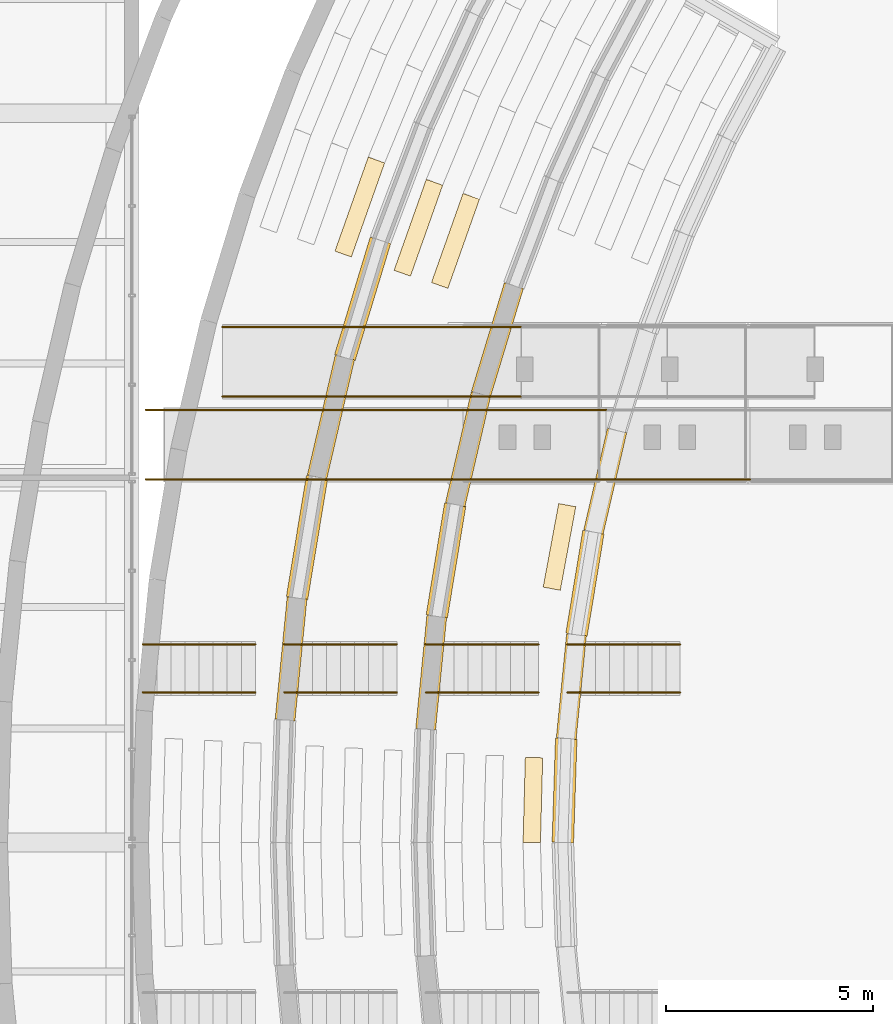
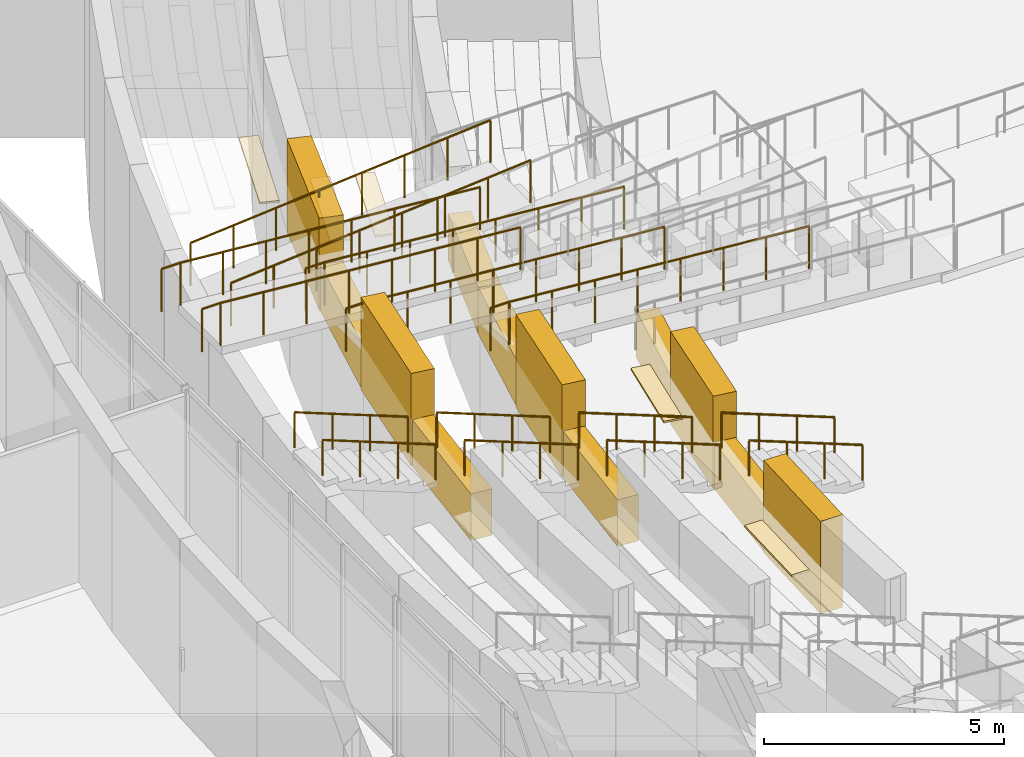
# One storey, part 113 of 116: 17 coverings, 15 railings, 4 elements without a shape of their own.
"""IFC4 building model written with IfcOpenShell, lengths in metres."""

from ifc_helpers import new_model, si_unit, direction, frame, origin, origin_2d, place, context, subcontext, project, spatial, polyline, circle, outline, extrude, material, layer, layer_set, type_object, element, aggregate, save


model = new_model("IFC4")

# Units and contexts
model_context = context("Model", 3, precision=1e-05, world=origin(), true_north=direction((0.0, 1.0)))
body_context = subcontext(model_context, "Body", "Model", "MODEL_VIEW")
ifc_project = project(units=[si_unit("LENGTHUNIT", "METRE"), si_unit("AREAUNIT", "SQUARE_METRE"), si_unit("VOLUMEUNIT", "CUBIC_METRE"), si_unit("PLANEANGLEUNIT", "RADIAN"), si_unit("MASSUNIT", "GRAM", prefix="KILO")], contexts=[model_context])

# Site, building, storey
site_placement = place(None, origin())
site = spatial("IfcSite", under=ifc_project, at=site_placement, CompositionType="ELEMENT")
building_placement = place(site_placement, origin())
building = spatial("IfcBuilding", under=site, at=building_placement, Name="Chalmorin Arch Market", CompositionType="ELEMENT")
storey_placement = place(building_placement, origin())
storey = spatial("IfcBuildingStorey", under=building, at=storey_placement, Name="L00", CompositionType="ELEMENT", Elevation=0.0)

# Stair, railings
ifc_material_1 = material(Name="Concrete C40/50", Category="concrete")
stair_type = type_object("IfcStairType", Name="TerraceCascadeStair-Granite", PredefinedType="STRAIGHT_RUN_STAIR", material=ifc_material_1)
stair_placement = place(storey_placement, origin())
stair = element("IfcStair", 1, at=stair_placement, inside=storey, type_object=stair_type, Name="ST-31", PredefinedType="STRAIGHT_RUN_STAIR")
ifc_material_2 = material(Name="Stainless Steel 316", Category="steel")
ifc_layer_1 = layer(ifc_material_2, 0.048095703125)
ifc_layer_set_1 = layer_set([ifc_layer_1], Name="Stainless Steel 316")
railing_type_1 = type_object("IfcRailingType", Name="StairTubeHandrail-920", PredefinedType="HANDRAIL", material=ifc_layer_set_1)
railing_1_placement = place(storey_placement, frame((148.429931640625, 36.02001953125, 0.13330078125)))
railing_1 = element("IfcRailing", 2, at=railing_1_placement, type_object=railing_type_1, Name="HR-01-139", PredefinedType="HANDRAIL", context=body_context, shape_type="SweptSolid", body=[
    extrude(circle(Radius=0.02392578125, at=origin_2d()), frame((0.0, 0.0, 0.89599609375), z_axis=(-0.930973755386, 0.0, 0.365086108723), x_axis=(0.0, -1.0, 0.0)), (0.0, 0.0, 1.0), 2.921630859375),
    extrude(circle(Radius=0.02099609375, at=origin_2d()), origin(), (0.0, 0.0, 1.0), 0.871826171875),
    extrude(circle(Radius=0.02099609375, at=origin_2d()), frame((-0.90673828125, 0.0, 0.35546875)), (0.0, 0.0, 1.0), 0.871826171875),
    extrude(circle(Radius=0.02099609375, at=origin_2d()), frame((-1.813232421875, 0.0, 0.711181640625)), (0.0, 0.0, 1.0), 0.871826171875),
    extrude(circle(Radius=0.02099609375, at=origin_2d()), frame((-2.719970703125, 0.0, 1.066650390625)), (0.0, 0.0, 1.0), 0.871826171875),
])
railing_2_placement = place(storey_placement, frame((148.429931640625, 37.179931640625, 0.13330078125)))
railing_2 = element("IfcRailing", 3, at=railing_2_placement, type_object=railing_type_1, Name="HR-01-140", PredefinedType="HANDRAIL", context=body_context, shape_type="SweptSolid", body=[
    extrude(circle(Radius=0.02392578125, at=origin_2d()), frame((0.0, 0.0, 0.89599609375), z_axis=(-0.930973755386, 0.0, 0.365086108723), x_axis=(0.0, -1.0, 0.0)), (0.0, 0.0, 1.0), 2.921630859375),
    extrude(circle(Radius=0.02099609375, at=origin_2d()), origin(), (0.0, 0.0, 1.0), 0.871826171875),
    extrude(circle(Radius=0.02099609375, at=origin_2d()), frame((-0.90673828125, 0.0, 0.35546875)), (0.0, 0.0, 1.0), 0.871826171875),
    extrude(circle(Radius=0.02099609375, at=origin_2d()), frame((-1.813232421875, 0.0, 0.711181640625)), (0.0, 0.0, 1.0), 0.871826171875),
    extrude(circle(Radius=0.02099609375, at=origin_2d()), frame((-2.719970703125, 0.0, 1.066650390625)), (0.0, 0.0, 1.0), 0.871826171875),
])
railing_3_placement = place(storey_placement, frame((145.011962890625, 36.02001953125, 1.333251953125)))
railing_3 = element("IfcRailing", 4, at=railing_3_placement, type_object=railing_type_1, Name="HR-01-141", PredefinedType="HANDRAIL", context=body_context, shape_type="SweptSolid", body=[
    extrude(circle(Radius=0.02392578125, at=origin_2d()), frame((0.0, 0.0, 0.89599609375), z_axis=(-0.930973755386, 0.0, 0.365086108723), x_axis=(0.0, -1.0, 0.0)), (0.0, 0.0, 1.0), 2.921630859375),
    extrude(circle(Radius=0.02099609375, at=origin_2d()), origin(), (0.0, 0.0, 1.0), 0.871826171875),
    extrude(circle(Radius=0.02099609375, at=origin_2d()), frame((-0.90673828125, 0.0, 0.35546875)), (0.0, 0.0, 1.0), 0.871826171875),
    extrude(circle(Radius=0.02099609375, at=origin_2d()), frame((-1.813232421875, 0.0, 0.711181640625)), (0.0, 0.0, 1.0), 0.871826171875),
    extrude(circle(Radius=0.02099609375, at=origin_2d()), frame((-2.719970703125, 0.0, 1.066650390625)), (0.0, 0.0, 1.0), 0.871826171875),
])
railing_4_placement = place(storey_placement, frame((145.011962890625, 37.179931640625, 1.333251953125)))
railing_4 = element("IfcRailing", 5, at=railing_4_placement, type_object=railing_type_1, Name="HR-01-142", PredefinedType="HANDRAIL", context=body_context, shape_type="SweptSolid", body=[
    extrude(circle(Radius=0.02392578125, at=origin_2d()), frame((0.0, 0.0, 0.89599609375), z_axis=(-0.930973755386, 0.0, 0.365086108723), x_axis=(0.0, -1.0, 0.0)), (0.0, 0.0, 1.0), 2.921630859375),
    extrude(circle(Radius=0.02099609375, at=origin_2d()), origin(), (0.0, 0.0, 1.0), 0.871826171875),
    extrude(circle(Radius=0.02099609375, at=origin_2d()), frame((-0.90673828125, 0.0, 0.35546875)), (0.0, 0.0, 1.0), 0.871826171875),
    extrude(circle(Radius=0.02099609375, at=origin_2d()), frame((-1.813232421875, 0.0, 0.711181640625)), (0.0, 0.0, 1.0), 0.871826171875),
    extrude(circle(Radius=0.02099609375, at=origin_2d()), frame((-2.719970703125, 0.0, 1.066650390625)), (0.0, 0.0, 1.0), 0.871826171875),
])
railing_5_placement = place(storey_placement, frame((141.595947265625, 36.02001953125, 2.533203125)))
railing_5 = element("IfcRailing", 6, at=railing_5_placement, type_object=railing_type_1, Name="HR-01-143", PredefinedType="HANDRAIL", context=body_context, shape_type="SweptSolid", body=[
    extrude(circle(Radius=0.02392578125, at=origin_2d()), frame((0.0, 0.0, 0.89599609375), z_axis=(-0.930945351626, 0.0, 0.365158530348), x_axis=(0.0, -1.0, 0.0)), (0.0, 0.0, 1.0), 2.921630859375),
    extrude(circle(Radius=0.02099609375, at=origin_2d()), origin(), (0.0, 0.0, 1.0), 0.871826171875),
    extrude(circle(Radius=0.02099609375, at=origin_2d()), frame((-0.90673828125, 0.0, 0.355712890625)), (0.0, 0.0, 1.0), 0.871826171875),
    extrude(circle(Radius=0.02099609375, at=origin_2d()), frame((-1.813232421875, 0.0, 0.711181640625)), (0.0, 0.0, 1.0), 0.871826171875),
    extrude(circle(Radius=0.02099609375, at=origin_2d()), frame((-2.719970703125, 0.0, 1.06689453125)), (0.0, 0.0, 1.0), 0.871826171875),
])
railing_6_placement = place(storey_placement, frame((141.595947265625, 37.179931640625, 2.533203125)))
railing_6 = element("IfcRailing", 7, at=railing_6_placement, type_object=railing_type_1, Name="HR-01-144", PredefinedType="HANDRAIL", context=body_context, shape_type="SweptSolid", body=[
    extrude(circle(Radius=0.02392578125, at=origin_2d()), frame((0.0, 0.0, 0.89599609375), z_axis=(-0.930945351626, 0.0, 0.365158530348), x_axis=(0.0, -1.0, 0.0)), (0.0, 0.0, 1.0), 2.921630859375),
    extrude(circle(Radius=0.02099609375, at=origin_2d()), origin(), (0.0, 0.0, 1.0), 0.871826171875),
    extrude(circle(Radius=0.02099609375, at=origin_2d()), frame((-0.90673828125, 0.0, 0.355712890625)), (0.0, 0.0, 1.0), 0.871826171875),
    extrude(circle(Radius=0.02099609375, at=origin_2d()), frame((-1.813232421875, 0.0, 0.711181640625)), (0.0, 0.0, 1.0), 0.871826171875),
    extrude(circle(Radius=0.02099609375, at=origin_2d()), frame((-2.719970703125, 0.0, 1.06689453125)), (0.0, 0.0, 1.0), 0.871826171875),
])
railing_7_placement = place(storey_placement, frame((138.181884765625, 36.02001953125, 3.7333984375)))
railing_7 = element("IfcRailing", 8, at=railing_7_placement, type_object=railing_type_1, Name="HR-01-145", PredefinedType="HANDRAIL", context=body_context, shape_type="SweptSolid", body=[
    extrude(circle(Radius=0.02392578125, at=origin_2d()), frame((0.0, 0.0, 0.89599609375), z_axis=(-0.930973755386, 0.0, 0.365086108723), x_axis=(0.0, -1.0, 0.0)), (0.0, 0.0, 1.0), 2.921630859375),
    extrude(circle(Radius=0.02099609375, at=origin_2d()), origin(), (0.0, 0.0, 1.0), 0.871826171875),
    extrude(circle(Radius=0.02099609375, at=origin_2d()), frame((-0.90673828125, 0.0, 0.35546875)), (0.0, 0.0, 1.0), 0.871826171875),
    extrude(circle(Radius=0.02099609375, at=origin_2d()), frame((-1.813232421875, 0.0, 0.711181640625)), (0.0, 0.0, 1.0), 0.871826171875),
    extrude(circle(Radius=0.02099609375, at=origin_2d()), frame((-2.719970703125, 0.0, 1.066650390625)), (0.0, 0.0, 1.0), 0.871826171875),
])
railing_8_placement = place(storey_placement, frame((138.181884765625, 37.179931640625, 3.7333984375)))
railing_8 = element("IfcRailing", 9, at=railing_8_placement, type_object=railing_type_1, Name="HR-01-146", PredefinedType="HANDRAIL", context=body_context, shape_type="SweptSolid", body=[
    extrude(circle(Radius=0.02392578125, at=origin_2d()), frame((0.0, 0.0, 0.89599609375), z_axis=(-0.930973755386, 0.0, 0.365086108723), x_axis=(0.0, -1.0, 0.0)), (0.0, 0.0, 1.0), 2.921630859375),
    extrude(circle(Radius=0.02099609375, at=origin_2d()), origin(), (0.0, 0.0, 1.0), 0.871826171875),
    extrude(circle(Radius=0.02099609375, at=origin_2d()), frame((-0.90673828125, 0.0, 0.35546875)), (0.0, 0.0, 1.0), 0.871826171875),
    extrude(circle(Radius=0.02099609375, at=origin_2d()), frame((-1.813232421875, 0.0, 0.711181640625)), (0.0, 0.0, 1.0), 0.871826171875),
    extrude(circle(Radius=0.02099609375, at=origin_2d()), frame((-2.719970703125, 0.0, 1.066650390625)), (0.0, 0.0, 1.0), 0.871826171875),
])
aggregate(stair, [railing_1, railing_2, railing_3, railing_4, railing_5, railing_6, railing_7, railing_8])

# Ramp, railing
ramp_type = type_object("IfcRampType", Name="AmphitheatreAccessibleRamp-1800", PredefinedType="HALF_TURN_RAMP", material=ifc_material_1)
ramp_1_placement = place(storey_placement, origin())
ramp_1 = element("IfcRamp", 10, at=ramp_1_placement, inside=storey, type_object=ramp_type, material=ifc_material_1, Name="RMP-04", PredefinedType="HALF_TURN_RAMP")
ifc_material_3 = material(Name="Galvanised Steel", Category="steel")
ifc_layer_2 = layer(ifc_material_3, 0.054931640625)
ifc_layer_set_2 = layer_set([ifc_layer_2], Name="Galvanised Steel")
railing_type_2 = type_object("IfcRailingType", Name="StairWellGuardrail-1100", PredefinedType="GUARDRAIL", material=ifc_layer_set_2)
railing_9_placement = place(storey_placement, frame((150.114990234375, 41.159912109375, 1.800048828125)))
railing_9 = element("IfcRailing", 11, at=railing_9_placement, type_object=railing_type_2, Name="SG-01-164", PredefinedType="GUARDRAIL", context=body_context, shape_type="SweptSolid", body=[
    extrude(circle(Radius=0.02392578125, at=origin_2d()), frame((0.0, 0.0, 1.076171875), z_axis=(-0.99654738937, 0.0, 0.083025904028), x_axis=(0.0, -1.0, 0.0)), (0.0, 0.0, 1.0), 7.224853515625),
    extrude(circle(Radius=0.02392578125, at=origin_2d()), frame((-7.199951171875, 0.0, 1.67578125), z_axis=(-1.0, 0.0, 0.0), x_axis=(0.0, -1.0, 0.0)), (0.0, 0.0, 1.0), 0.449951171875),
    extrude(circle(Radius=0.02099609375, at=origin_2d()), origin(), (0.0, 0.0, 1.0), 1.052001953125),
    extrude(circle(Radius=0.02099609375, at=origin_2d()), frame((-1.028564453125, 0.0, 0.085693359375)), (0.0, 0.0, 1.0), 1.052001953125),
    extrude(circle(Radius=0.02099609375, at=origin_2d()), frame((-2.05712890625, 0.0, 0.17138671875)), (0.0, 0.0, 1.0), 1.052001953125),
    extrude(circle(Radius=0.02099609375, at=origin_2d()), frame((-3.085693359375, 0.0, 0.257080078125)), (0.0, 0.0, 1.0), 1.052001953125),
    extrude(circle(Radius=0.02099609375, at=origin_2d()), frame((-4.1142578125, 0.0, 0.3427734375)), (0.0, 0.0, 1.0), 1.052001953125),
    extrude(circle(Radius=0.02099609375, at=origin_2d()), frame((-5.142822265625, 0.0, 0.428466796875)), (0.0, 0.0, 1.0), 1.052001953125),
    extrude(circle(Radius=0.02099609375, at=origin_2d()), frame((-6.17138671875, 0.0, 0.51416015625)), (0.0, 0.0, 1.0), 1.052001953125),
    extrude(circle(Radius=0.02099609375, at=origin_2d()), frame((-7.199951171875, 0.0, 0.599853515625)), (0.0, 0.0, 1.0), 1.052001953125),
    extrude(circle(Radius=0.02099609375, at=origin_2d()), frame((-7.64990234375, 0.0, 0.599853515625)), (0.0, 0.0, 1.0), 1.052001953125),
])
aggregate(ramp_1, [railing_9])

# Ramp, railings
ramp_2_placement = place(storey_placement, origin())
ramp_2 = element("IfcRamp", 12, at=ramp_2_placement, inside=storey, type_object=ramp_type, material=ifc_material_1, Name="RMP-06", PredefinedType="HALF_TURN_RAMP")
railing_10_placement = place(storey_placement, frame((146.64501953125, 41.159912109375, 3.0)))
railing_10 = element("IfcRailing", 13, at=railing_10_placement, type_object=railing_type_2, Name="SG-01-174", PredefinedType="GUARDRAIL", context=body_context, shape_type="SweptSolid", body=[
    extrude(circle(Radius=0.02392578125, at=origin_2d()), frame((0.0, 0.0, 1.076171875), z_axis=(-0.996544592923, 0.0, 0.083059462528), x_axis=(0.0, -1.0, 0.0)), (0.0, 0.0, 1.0), 7.224853515625),
    extrude(circle(Radius=0.02392578125, at=origin_2d()), frame((-7.199951171875, 0.0, 1.67626953125), z_axis=(-1.0, 0.0, 0.0), x_axis=(0.0, -1.0, 0.0)), (0.0, 0.0, 1.0), 0.449951171875),
    extrude(circle(Radius=0.02099609375, at=origin_2d()), origin(), (0.0, 0.0, 1.0), 1.052001953125),
    extrude(circle(Radius=0.02099609375, at=origin_2d()), frame((-1.028564453125, 0.0, 0.085693359375)), (0.0, 0.0, 1.0), 1.052001953125),
    extrude(circle(Radius=0.02099609375, at=origin_2d()), frame((-2.05712890625, 0.0, 0.17138671875)), (0.0, 0.0, 1.0), 1.052001953125),
    extrude(circle(Radius=0.02099609375, at=origin_2d()), frame((-3.085693359375, 0.0, 0.257080078125)), (0.0, 0.0, 1.0), 1.052001953125),
    extrude(circle(Radius=0.02099609375, at=origin_2d()), frame((-4.1142578125, 0.0, 0.343017578125)), (0.0, 0.0, 1.0), 1.052001953125),
    extrude(circle(Radius=0.02099609375, at=origin_2d()), frame((-5.142822265625, 0.0, 0.4287109375)), (0.0, 0.0, 1.0), 1.052001953125),
    extrude(circle(Radius=0.02099609375, at=origin_2d()), frame((-6.17138671875, 0.0, 0.514404296875)), (0.0, 0.0, 1.0), 1.052001953125),
    extrude(circle(Radius=0.02099609375, at=origin_2d()), frame((-7.199951171875, 0.0, 0.60009765625)), (0.0, 0.0, 1.0), 1.052001953125),
    extrude(circle(Radius=0.02099609375, at=origin_2d()), frame((-7.64990234375, 0.0, 0.60009765625)), (0.0, 0.0, 1.0), 1.052001953125),
])
railing_11_placement = place(storey_placement, frame((146.64501953125, 42.840087890625, 3.0)))
railing_11 = element("IfcRailing", 14, at=railing_11_placement, type_object=railing_type_2, Name="SG-01-176", PredefinedType="GUARDRAIL", context=body_context, shape_type="SweptSolid", body=[
    extrude(circle(Radius=0.02392578125, at=origin_2d()), frame((0.0, 0.0, 1.076171875), z_axis=(-0.996544592923, 0.0, 0.083059462528), x_axis=(0.0, -1.0, 0.0)), (0.0, 0.0, 1.0), 7.224853515625),
    extrude(circle(Radius=0.02392578125, at=origin_2d()), frame((-7.199951171875, 0.0, 1.67626953125), z_axis=(-1.0, 0.0, 0.0), x_axis=(0.0, -1.0, 0.0)), (0.0, 0.0, 1.0), 0.449951171875),
    extrude(circle(Radius=0.02099609375, at=origin_2d()), origin(), (0.0, 0.0, 1.0), 1.052001953125),
    extrude(circle(Radius=0.02099609375, at=origin_2d()), frame((-1.028564453125, 0.0, 0.085693359375)), (0.0, 0.0, 1.0), 1.052001953125),
    extrude(circle(Radius=0.02099609375, at=origin_2d()), frame((-2.05712890625, 0.0, 0.17138671875)), (0.0, 0.0, 1.0), 1.052001953125),
    extrude(circle(Radius=0.02099609375, at=origin_2d()), frame((-3.085693359375, 0.0, 0.257080078125)), (0.0, 0.0, 1.0), 1.052001953125),
    extrude(circle(Radius=0.02099609375, at=origin_2d()), frame((-4.1142578125, 0.0, 0.343017578125)), (0.0, 0.0, 1.0), 1.052001953125),
    extrude(circle(Radius=0.02099609375, at=origin_2d()), frame((-5.142822265625, 0.0, 0.4287109375)), (0.0, 0.0, 1.0), 1.052001953125),
    extrude(circle(Radius=0.02099609375, at=origin_2d()), frame((-6.17138671875, 0.0, 0.514404296875)), (0.0, 0.0, 1.0), 1.052001953125),
    extrude(circle(Radius=0.02099609375, at=origin_2d()), frame((-7.199951171875, 0.0, 0.60009765625)), (0.0, 0.0, 1.0), 1.052001953125),
    extrude(circle(Radius=0.02099609375, at=origin_2d()), frame((-7.64990234375, 0.0, 0.60009765625)), (0.0, 0.0, 1.0), 1.052001953125),
])
aggregate(ramp_2, [railing_10, railing_11])

ramp_3_placement = place(storey_placement, origin())
ramp_3 = element("IfcRamp", 15, at=ramp_3_placement, inside=storey, type_object=ramp_type, material=ifc_material_1, Name="RMP-08", PredefinedType="HALF_TURN_RAMP")
railing_12_placement = place(storey_placement, frame((137.385009765625, 43.159912109375, 3.60009765625)))
railing_12 = element("IfcRailing", 16, at=railing_12_placement, type_object=railing_type_2, Name="SG-01-183", PredefinedType="GUARDRAIL", context=body_context, shape_type="SweptSolid", body=[
    extrude(circle(Radius=0.02392578125, at=origin_2d()), frame((0.0, 0.0, 1.076171875), z_axis=(0.99654738937, 0.0, 0.083025904028), x_axis=(0.0, 1.0, 0.0)), (0.0, 0.0, 1.0), 7.224853515625),
    extrude(circle(Radius=0.02099609375, at=origin_2d()), origin(), (0.0, 0.0, 1.0), 1.052001953125),
    extrude(circle(Radius=0.02099609375, at=origin_2d()), frame((1.028564453125, 0.0, 0.085693359375)), (0.0, 0.0, 1.0), 1.052001953125),
    extrude(circle(Radius=0.02099609375, at=origin_2d()), frame((2.05712890625, 0.0, 0.17138671875)), (0.0, 0.0, 1.0), 1.052001953125),
    extrude(circle(Radius=0.02099609375, at=origin_2d()), frame((3.085693359375, 0.0, 0.257080078125)), (0.0, 0.0, 1.0), 1.052001953125),
    extrude(circle(Radius=0.02099609375, at=origin_2d()), frame((4.1142578125, 0.0, 0.3427734375)), (0.0, 0.0, 1.0), 1.052001953125),
    extrude(circle(Radius=0.02099609375, at=origin_2d()), frame((5.142822265625, 0.0, 0.428466796875)), (0.0, 0.0, 1.0), 1.052001953125),
    extrude(circle(Radius=0.02099609375, at=origin_2d()), frame((6.17138671875, 0.0, 0.51416015625)), (0.0, 0.0, 1.0), 1.052001953125),
    extrude(circle(Radius=0.02099609375, at=origin_2d()), frame((7.199951171875, 0.0, 0.599853515625)), (0.0, 0.0, 1.0), 1.052001953125),
])
railing_13_placement = place(storey_placement, frame((143.18505859375, 41.159912109375, 4.199951171875)))
railing_13 = element("IfcRailing", 17, at=railing_13_placement, type_object=railing_type_2, Name="SG-01-184", PredefinedType="GUARDRAIL", context=body_context, shape_type="SweptSolid", body=[
    extrude(circle(Radius=0.02392578125, at=origin_2d()), frame((0.0, 0.0, 1.076171875), z_axis=(-0.996544592923, 0.0, 0.083059462528), x_axis=(0.0, -1.0, 0.0)), (0.0, 0.0, 1.0), 7.224853515625),
    extrude(circle(Radius=0.02392578125, at=origin_2d()), frame((-7.199951171875, 0.0, 1.67626953125), z_axis=(-1.0, 0.0, 0.0), x_axis=(0.0, -1.0, 0.0)), (0.0, 0.0, 1.0), 0.4501953125),
    extrude(circle(Radius=0.02099609375, at=origin_2d()), origin(), (0.0, 0.0, 1.0), 1.052001953125),
    extrude(circle(Radius=0.02099609375, at=origin_2d()), frame((-1.028564453125, 0.0, 0.085693359375)), (0.0, 0.0, 1.0), 1.052001953125),
    extrude(circle(Radius=0.02099609375, at=origin_2d()), frame((-2.05712890625, 0.0, 0.17138671875)), (0.0, 0.0, 1.0), 1.052001953125),
    extrude(circle(Radius=0.02099609375, at=origin_2d()), frame((-3.085693359375, 0.0, 0.257080078125)), (0.0, 0.0, 1.0), 1.052001953125),
    extrude(circle(Radius=0.02099609375, at=origin_2d()), frame((-4.1142578125, 0.0, 0.343017578125)), (0.0, 0.0, 1.0), 1.052001953125),
    extrude(circle(Radius=0.02099609375, at=origin_2d()), frame((-5.142822265625, 0.0, 0.4287109375)), (0.0, 0.0, 1.0), 1.052001953125),
    extrude(circle(Radius=0.02099609375, at=origin_2d()), frame((-6.17138671875, 0.0, 0.514404296875)), (0.0, 0.0, 1.0), 1.052001953125),
    extrude(circle(Radius=0.02099609375, at=origin_2d()), frame((-7.199951171875, 0.0, 0.60009765625)), (0.0, 0.0, 1.0), 1.052001953125),
    extrude(circle(Radius=0.02099609375, at=origin_2d()), frame((-7.650146484375, 0.0, 0.60009765625)), (0.0, 0.0, 1.0), 1.052001953125),
])
railing_14_placement = place(storey_placement, frame((137.385009765625, 44.840087890625, 3.60009765625)))
railing_14 = element("IfcRailing", 18, at=railing_14_placement, type_object=railing_type_2, Name="SG-01-185", PredefinedType="GUARDRAIL", context=body_context, shape_type="SweptSolid", body=[
    extrude(circle(Radius=0.02392578125, at=origin_2d()), frame((0.0, 0.0, 1.076171875), z_axis=(0.99654738937, 0.0, 0.083025904028), x_axis=(0.0, 1.0, 0.0)), (0.0, 0.0, 1.0), 7.224853515625),
    extrude(circle(Radius=0.02099609375, at=origin_2d()), origin(), (0.0, 0.0, 1.0), 1.052001953125),
    extrude(circle(Radius=0.02099609375, at=origin_2d()), frame((1.028564453125, 0.0, 0.085693359375)), (0.0, 0.0, 1.0), 1.052001953125),
    extrude(circle(Radius=0.02099609375, at=origin_2d()), frame((2.05712890625, 0.0, 0.17138671875)), (0.0, 0.0, 1.0), 1.052001953125),
    extrude(circle(Radius=0.02099609375, at=origin_2d()), frame((3.085693359375, 0.0, 0.257080078125)), (0.0, 0.0, 1.0), 1.052001953125),
    extrude(circle(Radius=0.02099609375, at=origin_2d()), frame((4.1142578125, 0.0, 0.3427734375)), (0.0, 0.0, 1.0), 1.052001953125),
    extrude(circle(Radius=0.02099609375, at=origin_2d()), frame((5.142822265625, 0.0, 0.428466796875)), (0.0, 0.0, 1.0), 1.052001953125),
    extrude(circle(Radius=0.02099609375, at=origin_2d()), frame((6.17138671875, 0.0, 0.51416015625)), (0.0, 0.0, 1.0), 1.052001953125),
    extrude(circle(Radius=0.02099609375, at=origin_2d()), frame((7.199951171875, 0.0, 0.599853515625)), (0.0, 0.0, 1.0), 1.052001953125),
])
railing_15_placement = place(storey_placement, frame((143.18505859375, 42.840087890625, 4.199951171875)))
railing_15 = element("IfcRailing", 19, at=railing_15_placement, type_object=railing_type_2, Name="SG-01-186", PredefinedType="GUARDRAIL", context=body_context, shape_type="SweptSolid", body=[
    extrude(circle(Radius=0.02392578125, at=origin_2d()), frame((0.0, 0.0, 1.076171875), z_axis=(-0.996544592923, 0.0, 0.083059462528), x_axis=(0.0, -1.0, 0.0)), (0.0, 0.0, 1.0), 7.224853515625),
    extrude(circle(Radius=0.02392578125, at=origin_2d()), frame((-7.199951171875, 0.0, 1.67626953125), z_axis=(-1.0, 0.0, 0.0), x_axis=(0.0, -1.0, 0.0)), (0.0, 0.0, 1.0), 0.4501953125),
    extrude(circle(Radius=0.02099609375, at=origin_2d()), origin(), (0.0, 0.0, 1.0), 1.052001953125),
    extrude(circle(Radius=0.02099609375, at=origin_2d()), frame((-1.028564453125, 0.0, 0.085693359375)), (0.0, 0.0, 1.0), 1.052001953125),
    extrude(circle(Radius=0.02099609375, at=origin_2d()), frame((-2.05712890625, 0.0, 0.17138671875)), (0.0, 0.0, 1.0), 1.052001953125),
    extrude(circle(Radius=0.02099609375, at=origin_2d()), frame((-3.085693359375, 0.0, 0.257080078125)), (0.0, 0.0, 1.0), 1.052001953125),
    extrude(circle(Radius=0.02099609375, at=origin_2d()), frame((-4.1142578125, 0.0, 0.343017578125)), (0.0, 0.0, 1.0), 1.052001953125),
    extrude(circle(Radius=0.02099609375, at=origin_2d()), frame((-5.142822265625, 0.0, 0.4287109375)), (0.0, 0.0, 1.0), 1.052001953125),
    extrude(circle(Radius=0.02099609375, at=origin_2d()), frame((-6.17138671875, 0.0, 0.514404296875)), (0.0, 0.0, 1.0), 1.052001953125),
    extrude(circle(Radius=0.02099609375, at=origin_2d()), frame((-7.199951171875, 0.0, 0.60009765625)), (0.0, 0.0, 1.0), 1.052001953125),
    extrude(circle(Radius=0.02099609375, at=origin_2d()), frame((-7.650146484375, 0.0, 0.60009765625)), (0.0, 0.0, 1.0), 1.052001953125),
])
aggregate(ramp_3, [railing_12, railing_13, railing_14, railing_15])

# Coverings
ifc_material_4 = material(Name="Planted Green Roof Turf")
ifc_layer_3 = layer(ifc_material_4, 0.044921875)
ifc_layer_set_3 = layer_set([ifc_layer_3], Name="Planted Green Roof Turf")
covering_type_1 = type_object("IfcCoveringType", Name="VegetatedMoundTurfStrip-45", PredefinedType="ROOFING", material=ifc_layer_set_3)
covering_1_placement = place(storey_placement, frame((0.0, 0.0, 1.199951171875)))
element("IfcCovering", 20, at=covering_1_placement, inside=storey, type_object=covering_type_1, Name="VMT-45-037", PredefinedType="ROOFING", context=body_context, shape_type="SweptSolid", body=[
    extrude(outline(polyline([(145.49951171875, 40.578369140625), (145.12548828125, 38.562255859375), (145.53857421875, 38.485595703125), (145.91259765625, 40.501708984375), (145.49951171875, 40.578369140625)])), origin(), (0.0, 0.0, 1.0), 0.045166015625),
])
covering_2_placement = place(storey_placement, frame((0.0, 0.0, 1.199951171875)))
element("IfcCovering", 21, at=covering_2_placement, inside=storey, type_object=covering_type_1, Name="VMT-45-038", PredefinedType="ROOFING", context=body_context, shape_type="SweptSolid", body=[
    extrude(outline(polyline([(144.694091796875, 34.45458984375), (144.64013671875, 32.405517578125), (145.059814453125, 32.39453125), (145.114013671875, 34.443603515625), (144.694091796875, 34.45458984375)])), origin(), (0.0, 0.0, 1.0), 0.045166015625),
])
covering_3_placement = place(storey_placement, frame((0.0, 0.0, 2.39990234375)))
element("IfcCovering", 22, at=covering_3_placement, inside=storey, type_object=covering_type_1, Name="VMT-45-071", PredefinedType="ROOFING", context=body_context, shape_type="SweptSolid", body=[
    extrude(outline(polyline([(143.19091796875, 48.05908203125), (142.430908203125, 45.912109375), (142.826904296875, 45.77197265625), (143.5869140625, 47.9189453125), (143.19091796875, 48.05908203125)])), origin(), (0.0, 0.0, 1.0), 0.045166015625),
])
covering_4_placement = place(storey_placement, frame((0.0, 0.0, 2.39990234375)))
element("IfcCovering", 23, at=covering_4_placement, inside=storey, type_object=covering_type_1, Name="VMT-45-081", PredefinedType="ROOFING", context=body_context, shape_type="SweptSolid", body=[
    extrude(outline(polyline([(142.303955078125, 48.399169921875), (141.528076171875, 46.2060546875), (141.924072265625, 46.06591796875), (142.699951171875, 48.2587890625), (142.303955078125, 48.399169921875)])), origin(), (0.0, 0.0, 1.0), 0.045166015625),
])
covering_5_placement = place(storey_placement, frame((0.0, 0.0, 3.60009765625)))
element("IfcCovering", 24, at=covering_5_placement, inside=storey, type_object=covering_type_1, Name="VMT-45-091", PredefinedType="ROOFING", context=body_context, shape_type="SweptSolid", body=[
    extrude(outline(polyline([(140.904052734375, 48.93701171875), (140.10107421875, 46.669189453125), (140.4970703125, 46.52880859375), (141.300048828125, 48.796875), (140.904052734375, 48.93701171875)])), origin(), (0.0, 0.0, 1.0), 0.044921875),
])
ifc_material_5 = material(Name="Precast concrete C40/50", Category="concrete")
ifc_layer_4 = layer(ifc_material_5, 0.054931640625)
ifc_layer_set_4 = layer_set([ifc_layer_4], Name="Precast concrete C40/50")
covering_type_2 = type_object("IfcCoveringType", Name="WhiteArchitecturalPrecastCladding-55", PredefinedType="CLADDING", material=ifc_layer_set_4)
covering_6_placement = place(storey_placement, frame((0.0, 0.0, 0.010009765625)))
element("IfcCovering", 25, at=covering_6_placement, inside=storey, type_object=covering_type_2, Name="WPC-55-005", PredefinedType="CLADDING", context=body_context, shape_type="SweptSolid", body=[
    extrude(outline(polyline([(146.67431640625, 42.393310546875), (146.104248046875, 39.9453125), (146.57177734375, 39.836669921875), (147.1416015625, 42.28466796875), (146.67431640625, 42.393310546875)])), origin(), (0.0, 0.0, 1.0), 1.179931640625),
])
covering_7_placement = place(storey_placement, frame((0.0, 0.0, 0.010009765625)))
element("IfcCovering", 26, at=covering_7_placement, inside=storey, type_object=covering_type_2, Name="WPC-55-006", PredefinedType="CLADDING", context=body_context, shape_type="SweptSolid", body=[
    extrude(outline(polyline([(146.08154296875, 39.933349609375), (145.672607421875, 37.454345703125), (146.185546875, 37.36962890625), (146.594482421875, 39.8486328125), (146.08154296875, 39.933349609375)])), origin(), (0.0, 0.0, 1.0), 2.35009765625),
])
covering_8_placement = place(storey_placement, frame((0.0, 0.0, 0.010009765625)))
element("IfcCovering", 27, at=covering_8_placement, inside=storey, type_object=covering_type_2, Name="WPC-55-007", PredefinedType="CLADDING", context=body_context, shape_type="SweptSolid", body=[
    extrude(outline(polyline([(145.690185546875, 37.435546875), (145.443115234375, 34.9345703125), (145.9208984375, 34.887451171875), (146.167724609375, 37.388427734375), (145.690185546875, 37.435546875)])), origin(), (0.0, 0.0, 1.0), 1.179931640625),
])
covering_9_placement = place(storey_placement, frame((0.0, 0.0, 0.010009765625)))
element("IfcCovering", 28, at=covering_9_placement, inside=storey, type_object=covering_type_2, Name="WPC-55-008", PredefinedType="CLADDING", context=body_context, shape_type="SweptSolid", body=[
    extrude(outline(polyline([(145.422119140625, 34.91943359375), (145.340087890625, 32.408447265625), (145.85986328125, 32.3916015625), (145.94189453125, 34.902587890625), (145.422119140625, 34.91943359375)])), origin(), (0.0, 0.0, 1.0), 2.35009765625),
])
covering_10_placement = place(storey_placement, frame((0.0, 0.0, 1.2099609375)))
element("IfcCovering", 29, at=covering_10_placement, inside=storey, type_object=covering_type_2, Name="WPC-55-020", PredefinedType="CLADDING", context=body_context, shape_type="SweptSolid", body=[
    extrude(outline(polyline([(144.188232421875, 45.90576171875), (143.394287109375, 43.288818359375), (143.853759765625, 43.1494140625), (144.647705078125, 45.766357421875), (144.188232421875, 45.90576171875)])), origin(), (0.0, 0.0, 1.0), 1.179931640625),
])
covering_11_placement = place(storey_placement, frame((0.0, 0.0, 1.2099609375)))
element("IfcCovering", 30, at=covering_11_placement, inside=storey, type_object=covering_type_2, Name="WPC-55-021", PredefinedType="CLADDING", context=body_context, shape_type="SweptSolid", body=[
    extrude(outline(polyline([(143.390380859375, 43.2734375), (142.769287109375, 40.609619140625), (143.23681640625, 40.50048828125), (143.857666015625, 43.16455078125), (143.390380859375, 43.2734375)])), origin(), (0.0, 0.0, 1.0), 1.179931640625),
])
covering_12_placement = place(storey_placement, frame((0.0, 0.0, 1.2099609375)))
element("IfcCovering", 31, at=covering_12_placement, inside=storey, type_object=covering_type_2, Name="WPC-55-022", PredefinedType="CLADDING", context=body_context, shape_type="SweptSolid", body=[
    extrude(outline(polyline([(142.74658203125, 40.597412109375), (142.301513671875, 37.898193359375), (142.814453125, 37.813720703125), (143.259521484375, 40.5126953125), (142.74658203125, 40.597412109375)])), origin(), (0.0, 0.0, 1.0), 2.35009765625),
])
covering_13_placement = place(storey_placement, frame((0.0, 0.0, 1.2099609375)))
element("IfcCovering", 32, at=covering_13_placement, inside=storey, type_object=covering_type_2, Name="WPC-55-023", PredefinedType="CLADDING", context=body_context, shape_type="SweptSolid", body=[
    extrude(outline(polyline([(142.319091796875, 37.879638671875), (142.05029296875, 35.15771484375), (142.52783203125, 35.1103515625), (142.796875, 37.83251953125), (142.319091796875, 37.879638671875)])), origin(), (0.0, 0.0, 1.0), 1.179931640625),
])
covering_14_placement = place(storey_placement, frame((0.0, 0.0, 2.409912109375)))
element("IfcCovering", 33, at=covering_14_placement, inside=storey, type_object=covering_type_2, Name="WPC-55-036", PredefinedType="CLADDING", context=body_context, shape_type="SweptSolid", body=[
    extrude(outline(polyline([(140.9501953125, 47.00439453125), (140.09130859375, 44.174560546875), (140.5888671875, 44.0234375), (141.44775390625, 46.853515625), (140.9501953125, 47.00439453125)])), origin(), (0.0, 0.0, 1.0), 2.35009765625),
])
covering_15_placement = place(storey_placement, frame((0.0, 0.0, 2.409912109375)))
element("IfcCovering", 34, at=covering_15_placement, inside=storey, type_object=covering_type_2, Name="WPC-55-037", PredefinedType="CLADDING", context=body_context, shape_type="SweptSolid", body=[
    extrude(outline(polyline([(140.106201171875, 44.1533203125), (139.435302734375, 41.2724609375), (139.902587890625, 41.16357421875), (140.57373046875, 44.044677734375), (140.106201171875, 44.1533203125)])), origin(), (0.0, 0.0, 1.0), 1.18017578125),
])
covering_16_placement = place(storey_placement, frame((0.0, 0.0, 2.409912109375)))
element("IfcCovering", 35, at=covering_16_placement, inside=storey, type_object=covering_type_2, Name="WPC-55-038", PredefinedType="CLADDING", context=body_context, shape_type="SweptSolid", body=[
    extrude(outline(polyline([(139.41259765625, 41.260498046875), (138.930419921875, 38.34228515625), (139.443603515625, 38.257568359375), (139.925537109375, 41.175537109375), (139.41259765625, 41.260498046875)])), origin(), (0.0, 0.0, 1.0), 2.35009765625),
])
covering_17_placement = place(storey_placement, frame((0.0, 0.0, 2.409912109375)))
element("IfcCovering", 36, at=covering_17_placement, inside=storey, type_object=covering_type_2, Name="WPC-55-039", PredefinedType="CLADDING", context=body_context, shape_type="SweptSolid", body=[
    extrude(outline(polyline([(138.9482421875, 38.323486328125), (138.658203125, 35.37939453125), (139.1357421875, 35.33251953125), (139.42578125, 38.276611328125), (138.9482421875, 38.323486328125)])), origin(), (0.0, 0.0, 1.0), 1.18017578125),
])

save(model, "model.ifc")
